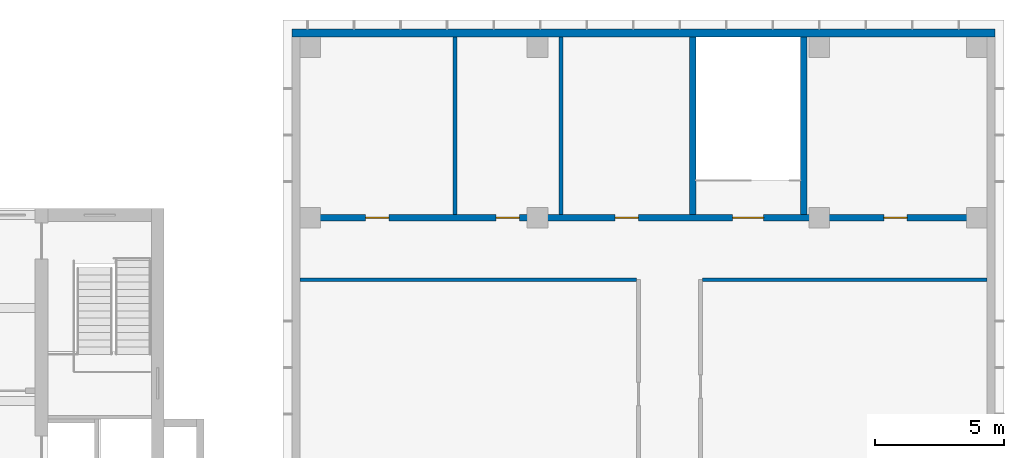
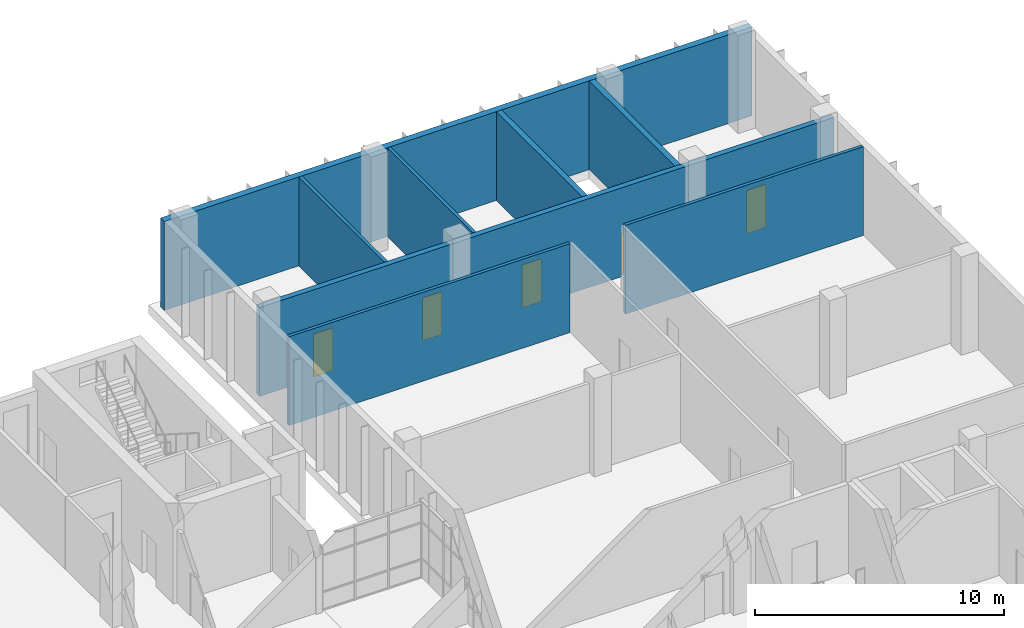
# One storey, part 38 of 45: 8 walls, 5 doors, 5 openings.
"""IFC4 building model written with IfcOpenShell, lengths in metres."""

from ifc_helpers import new_model, si_unit, direction, frame, frame_2d, origin, place, context, subcontext, project, spatial, rectangle, extrude, material, layer, layer_set, type_object, element, fill, save


model = new_model("IFC4")

# Units and contexts
model_context = context("Model", 3, precision=1e-05, world=origin(), true_north=direction((0.0, 1.0)))
body_context = subcontext(model_context, "Body", "Model", "MODEL_VIEW")
ifc_project = project(units=[si_unit("LENGTHUNIT", "METRE"), si_unit("AREAUNIT", "SQUARE_METRE"), si_unit("VOLUMEUNIT", "CUBIC_METRE"), si_unit("PLANEANGLEUNIT", "RADIAN"), si_unit("MASSUNIT", "GRAM", prefix="KILO")], contexts=[model_context])

# Site, building, storey
site_placement = place(None, origin())
site = spatial("IfcSite", under=ifc_project, at=site_placement, CompositionType="ELEMENT")
building_placement = place(site_placement, origin())
building = spatial("IfcBuilding", under=site, at=building_placement, Name="Basin Gate Institute", CompositionType="ELEMENT")
storey_placement = place(building_placement, frame((0.0, 0.0, 22.199951171875)))
storey = spatial("IfcBuildingStorey", under=building, at=storey_placement, Name="L04", CompositionType="ELEMENT", Elevation=22.199951171875)

# Wall, openings, doors
ifc_material_1 = material(Name="Concrete 40 MPa", Category="concrete")
ifc_layer_1 = layer(ifc_material_1, 0.25)
ifc_layer_set_1 = layer_set([ifc_layer_1], Name="Concrete 40 MPa")
wall_type_1 = type_object("IfcWallType", Name="Block enclosure wall W73 REI 120", PredefinedType="SOLIDWALL", material=ifc_layer_set_1)
wall_1_placement = place(storey_placement, frame((124.300048828125, 99.800048828125, 0.0), z_axis=(0.0, 0.0, 1.0), x_axis=(1.0, 0.0, 0.0)))
wall_1 = element("IfcWall", 1, at=wall_1_placement, inside=storey, type_object=wall_type_1, material=ifc_layer_set_1, Name="Stair and lift enclosure wall Cx9980-9 L04", PredefinedType="SOLIDWALL", context=body_context, shape_type="SweptSolid", body=[
    extrude(rectangle(XDim=26.599853515625, YDim=0.25, at=frame_2d((13.2998046875, 0.0))), origin(), (0.0, 0.0, 1.0), 4.35009765625),
])
opening_1_placement = place(wall_1_placement, frame((2.550048828125, 0.0, 0.0)))
opening_1 = element("IfcOpeningElement", 2, at=opening_1_placement, cuts=wall_1, Name="Opening D1081", PredefinedType="OPENING", context=body_context, shape_type="SweptSolid", body=[
    extrude(rectangle(XDim=0.89990234375, YDim=2.10009765625, at=frame_2d((0.449951171875, 1.050048828125))), frame((0.0, 0.135009765625, 0.0), z_axis=(0.0, -1.0, 0.0), x_axis=(1.0, 0.0, 0.0)), (0.0, 0.0, 1.0), 0.27001953125),
])
opening_2_placement = place(wall_1_placement, frame((7.60009765625, 0.0, 0.0)))
opening_2 = element("IfcOpeningElement", 3, at=opening_2_placement, cuts=wall_1, Name="Opening D1082", PredefinedType="OPENING", context=body_context, shape_type="SweptSolid", body=[
    extrude(rectangle(XDim=0.89990234375, YDim=2.10009765625, at=frame_2d((0.449951171875, 1.050048828125))), frame((0.0, 0.135009765625, 0.0), z_axis=(0.0, -1.0, 0.0), x_axis=(1.0, 0.0, 0.0)), (0.0, 0.0, 1.0), 0.27001953125),
])
opening_3_placement = place(wall_1_placement, frame((22.60009765625, 0.0, 0.0)))
opening_3 = element("IfcOpeningElement", 4, at=opening_3_placement, cuts=wall_1, Name="Opening D1083", PredefinedType="OPENING", context=body_context, shape_type="SweptSolid", body=[
    extrude(rectangle(XDim=0.89990234375, YDim=2.10009765625, at=frame_2d((0.449951171875, 1.050048828125))), frame((0.0, 0.135009765625, 0.0), z_axis=(0.0, -1.0, 0.0), x_axis=(1.0, 0.0, 0.0)), (0.0, 0.0, 1.0), 0.27001953125),
])
opening_4_placement = place(wall_1_placement, frame((12.199951171875, 0.0, 0.0)))
opening_4 = element("IfcOpeningElement", 5, at=opening_4_placement, cuts=wall_1, Name="Opening D1085", PredefinedType="OPENING", context=body_context, shape_type="SweptSolid", body=[
    extrude(rectangle(XDim=0.89990234375, YDim=2.10009765625, at=frame_2d((0.449951171875, 1.050048828125))), frame((0.0, 0.135009765625, 0.0), z_axis=(0.0, -1.0, 0.0), x_axis=(1.0, 0.0, 0.0)), (0.0, 0.0, 1.0), 0.27001953125),
])
opening_5_placement = place(wall_1_placement, frame((16.75, 0.0, 0.0)))
opening_5 = element("IfcOpeningElement", 6, at=opening_5_placement, cuts=wall_1, Name="Opening D1087", PredefinedType="OPENING", context=body_context, shape_type="SweptSolid", body=[
    extrude(rectangle(XDim=1.199951171875, YDim=2.10009765625, at=frame_2d((0.60009765625, 1.050048828125))), frame((0.0, 0.135009765625, 0.0), z_axis=(0.0, -1.0, 0.0), x_axis=(1.0, 0.0, 0.0)), (0.0, 0.0, 1.0), 0.27001953125),
])
ifc_material_2 = material(Name="Timber door leaf in steel frame", Category="steel")
door_type_1 = type_object("IfcDoorType", Name="Block door 900 single swing", OperationType="NOTDEFINED", PredefinedType="DOOR", material=ifc_material_2)
door_1_placement = place(opening_1_placement, origin())
door_1 = element("IfcDoor", 7, at=door_1_placement, inside=storey, type_object=door_type_1, material=ifc_material_2, Name="Plant Room 9 door L04", OperationType="SINGLE_SWING_LEFT", OverallHeight=2.10009765625, OverallWidth=0.89990234375, PredefinedType="DOOR", context=body_context, shape_type="SweptSolid", body=[
    extrude(rectangle(XDim=0.89990234375, YDim=2.10009765625, at=frame_2d((0.449951171875, 1.050048828125))), frame((0.0, 0.02490234375, 0.0), z_axis=(0.0, -1.0, 0.0), x_axis=(1.0, 0.0, 0.0)), (0.0, 0.0, 1.0), 0.050048828125),
])
fill(opening_1, door_1)
door_2_placement = place(opening_2_placement, origin())
door_2 = element("IfcDoor", 8, at=door_2_placement, inside=storey, type_object=door_type_1, material=ifc_material_2, Name="Plant Room 10 door L04", OperationType="SINGLE_SWING_RIGHT", OverallHeight=2.10009765625, OverallWidth=0.89990234375, PredefinedType="DOOR", context=body_context, shape_type="SweptSolid", body=[
    extrude(rectangle(XDim=0.89990234375, YDim=2.10009765625, at=frame_2d((0.449951171875, 1.050048828125))), frame((0.0, 0.02490234375, 0.0), z_axis=(0.0, -1.0, 0.0), x_axis=(1.0, 0.0, 0.0)), (0.0, 0.0, 1.0), 0.050048828125),
])
fill(opening_2, door_2)
door_3_placement = place(opening_3_placement, origin())
door_3 = element("IfcDoor", 9, at=door_3_placement, inside=storey, type_object=door_type_1, material=ifc_material_2, Name="Plant Room 11 door L04", OperationType="SINGLE_SWING_LEFT", OverallHeight=2.10009765625, OverallWidth=0.89990234375, PredefinedType="DOOR", context=body_context, shape_type="SweptSolid", body=[
    extrude(rectangle(XDim=0.89990234375, YDim=2.10009765625, at=frame_2d((0.449951171875, 1.050048828125))), frame((0.0, 0.02490234375, 0.0), z_axis=(0.0, -1.0, 0.0), x_axis=(1.0, 0.0, 0.0)), (0.0, 0.0, 1.0), 0.050048828125),
])
fill(opening_3, door_3)
door_4_placement = place(opening_4_placement, origin())
door_4 = element("IfcDoor", 10, at=door_4_placement, inside=storey, type_object=door_type_1, material=ifc_material_2, Name="Utility Room door L04", OperationType="SINGLE_SWING_RIGHT", OverallHeight=2.10009765625, OverallWidth=0.89990234375, PredefinedType="DOOR", context=body_context, shape_type="SweptSolid", body=[
    extrude(rectangle(XDim=0.89990234375, YDim=2.10009765625, at=frame_2d((0.449951171875, 1.050048828125))), frame((0.0, 0.02490234375, 0.0), z_axis=(0.0, -1.0, 0.0), x_axis=(1.0, 0.0, 0.0)), (0.0, 0.0, 1.0), 0.050048828125),
])
fill(opening_4, door_4)
ifc_material_3 = material(Name="Steel fire door leaf", Category="steel")
door_type_2 = type_object("IfcDoorType", Name="FD60 door 1200 single swing", OperationType="NOTDEFINED", PredefinedType="DOOR", material=ifc_material_3)
door_5_placement = place(opening_5_placement, origin())
door_5 = element("IfcDoor", 11, at=door_5_placement, inside=storey, type_object=door_type_2, material=ifc_material_3, Name="Stair door ST-C8 L04", OperationType="SINGLE_SWING_RIGHT", OverallHeight=2.10009765625, OverallWidth=1.199951171875, PredefinedType="DOOR", context=body_context, shape_type="SweptSolid", body=[
    extrude(rectangle(XDim=1.199951171875, YDim=2.10009765625, at=frame_2d((0.60009765625, 1.050048828125))), frame((0.0, 0.02490234375, 0.0), z_axis=(0.0, -1.0, 0.0), x_axis=(1.0, 0.0, 0.0)), (0.0, 0.0, 1.0), 0.050048828125),
])
fill(opening_5, door_5)

# Walls
for number, where, z_axis, x_axis, name in (
    (12, (139.5, 99.925048828125, 0.0), (0.0, 0.0, 1.0), (0.0, 1.0, 0.0), "Stair and lift enclosure wall Cy13950-16 L04"),
    (13, (143.800048828125, 99.925048828125, 0.0), (0.0, 0.0, 1.0), (0.0, 1.0, 0.0), "Stair and lift enclosure wall Cy14380-19 L04"),
):
    element("IfcWall", number, at=place(storey_placement, frame(where, z_axis=z_axis, x_axis=x_axis)), inside=storey, type_object=wall_type_1, material=ifc_layer_set_1, Name=name, PredefinedType="SOLIDWALL", context=body_context, shape_type="SweptSolid", body=[
        extrude(rectangle(XDim=6.875, YDim=0.25, at=frame_2d((3.4375, 0.0))), origin(), (0.0, 0.0, 1.0), 4.35009765625),
    ])
ifc_material_4 = material(Name="Insulated sandwich panel, mineral wool core, galvanised sheet faces")
ifc_layer_2 = layer(ifc_material_4, 0.300048828125)
ifc_layer_set_2 = layer_set([ifc_layer_2], Name="Clean block insulated panel wall W80 EI 60")
wall_type_2 = type_object("IfcWallType", Name="Clean block insulated panel wall W80 EI 60", PredefinedType="SOLIDWALL", material=ifc_layer_set_2)
wall_2_placement = place(storey_placement, frame((124.0, 106.949951171875, 0.0), z_axis=(0.0, 0.0, 1.0), x_axis=(1.0, 0.0, 0.0)))
element("IfcWall", 14, at=wall_2_placement, inside=storey, type_object=wall_type_2, material=ifc_layer_set_2, Name="Clean block insulated panel wall north L04", PredefinedType="SOLIDWALL", context=body_context, shape_type="SweptSolid", body=[
    extrude(rectangle(XDim=27.199951171875, YDim=0.300048828125, at=frame_2d((13.60009765625, 0.0))), origin(), (0.0, 0.0, 1.0), 4.35009765625),
])
ifc_material_5 = material(Name="Gypsum board partition on steel studs, 60 minute", Category="steel")
ifc_layer_3 = layer(ifc_material_5, 0.14990234375)
ifc_layer_set_3 = layer_set([ifc_layer_3], Name="Gypsum board partition on steel studs, 60 minute")
wall_type_3 = type_object("IfcWallType", Name="Clean block partition PW72 EI 60", PredefinedType="SOLIDWALL", material=ifc_layer_set_3)
wall_3_placement = place(storey_placement, frame((124.300048828125, 97.39990234375, 0.0), z_axis=(0.0, 0.0, 1.0), x_axis=(1.0, 0.0, 0.0)))
element("IfcWall", 15, at=wall_3_placement, inside=storey, type_object=wall_type_3, material=ifc_layer_set_3, Name="Clean block partition Cx9740-7 L04", PredefinedType="SOLIDWALL", context=body_context, shape_type="SweptSolid", body=[
    extrude(rectangle(XDim=13.02490234375, YDim=0.14990234375, at=frame_2d((6.512451171875, 0.0))), origin(), (0.0, 0.0, 1.0), 4.35009765625),
])
wall_4_placement = place(storey_placement, frame((139.875, 97.39990234375, 0.0), z_axis=(0.0, 0.0, 1.0), x_axis=(1.0, 0.0, 0.0)))
element("IfcWall", 16, at=wall_4_placement, inside=storey, type_object=wall_type_3, material=ifc_layer_set_3, Name="Clean block partition Cx9740-8 L04", PredefinedType="SOLIDWALL", context=body_context, shape_type="SweptSolid", body=[
    extrude(rectangle(XDim=11.02490234375, YDim=0.14990234375, at=frame_2d((5.512451171875, 0.0))), origin(), (0.0, 0.0, 1.0), 4.35009765625),
])
for number, where, z_axis, x_axis, name in (
    (17, (130.300048828125, 99.925048828125, 0.0), (0.0, 0.0, 1.0), (0.0, 1.0, 0.0), "Clean block partition Cy13030-11 L04"),
    (18, (134.39990234375, 99.925048828125, 0.0), (0.0, 0.0, 1.0), (0.0, 1.0, 0.0), "Clean block partition Cy13440-13 L04"),
):
    element("IfcWall", number, at=place(storey_placement, frame(where, z_axis=z_axis, x_axis=x_axis)), inside=storey, type_object=wall_type_3, material=ifc_layer_set_3, Name=name, PredefinedType="SOLIDWALL", context=body_context, shape_type="SweptSolid", body=[
        extrude(rectangle(XDim=6.875, YDim=0.14990234375, at=frame_2d((3.4375, 0.0))), origin(), (0.0, 0.0, 1.0), 4.35009765625),
    ])

save(model, "model.ifc")
